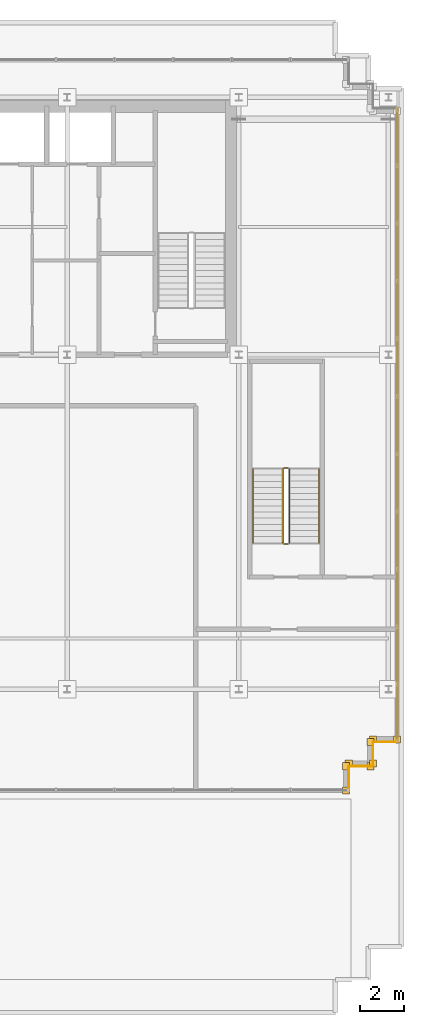
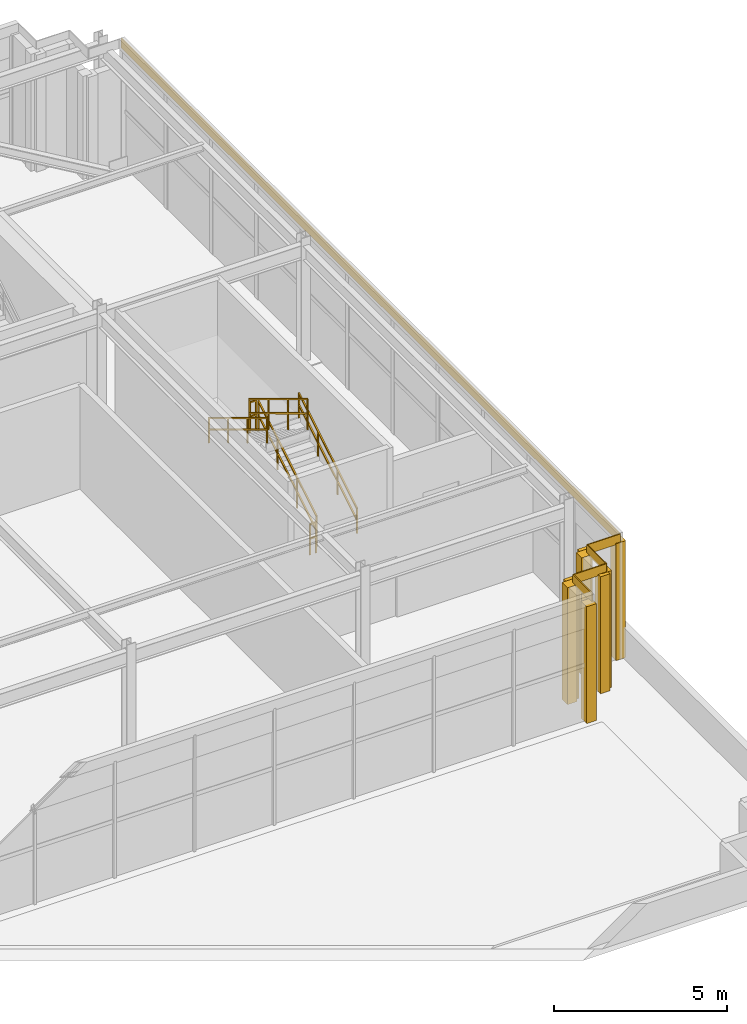
# One storey, part 35 of 38: 13 coverings, 6 railings.
"""IFC4 building model written with IfcOpenShell, lengths in metres."""

from ifc_helpers import new_model, si_unit, direction, frame, origin, origin_2d, place, context, subcontext, project, spatial, rectangle, extrude, source, transform, mapped, material, layer, layer_set, type_object, element, save


model = new_model("IFC4")

# Units and contexts
model_context = context("Model", 3, precision=1e-05, world=origin(), true_north=direction((0.0, 1.0)))
body_context = subcontext(model_context, "Body", "Model", "MODEL_VIEW")
ifc_project = project(units=[si_unit("LENGTHUNIT", "METRE"), si_unit("AREAUNIT", "SQUARE_METRE"), si_unit("VOLUMEUNIT", "CUBIC_METRE"), si_unit("PLANEANGLEUNIT", "RADIAN"), si_unit("MASSUNIT", "GRAM", prefix="KILO")], contexts=[model_context])

# Site, building, storey
site_placement = place(None, origin())
site = spatial("IfcSite", under=ifc_project, at=site_placement, CompositionType="ELEMENT")
building_placement = place(site_placement, origin())
building = spatial("IfcBuilding", under=site, at=building_placement, Name="Trelvane Seafront Commons", CompositionType="ELEMENT")
storey_placement = place(building_placement, frame((0.0, 0.0, 299.10009765625)))
storey = spatial("IfcBuildingStorey", under=building, at=storey_placement, Name="L78", CompositionType="ELEMENT", Elevation=299.10009765625)

# Railings
ifc_material_1 = material(Name="Stainless steel balustrade", Category="steel")
railing_type_1 = type_object("IfcRailingType", Name="ARCH-SRL-GUARD", PredefinedType="GUARDRAIL", material=ifc_material_1)
railing_1_placement = place(storey_placement, frame((61.10009765625, 24.85009765625, 0.169189453125)))
element("IfcRailing", 1, at=railing_1_placement, inside=storey, type_object=railing_type_1, Name="L78 ST-6 stair guard 1", PredefinedType="GUARDRAIL", context=body_context, shape_type="SweptSolid", body=[
    extrude(rectangle(XDim=0.048095703125, YDim=0.048095703125, at=origin_2d()), frame((0.0, 0.0, 1.076171875), z_axis=(0.0, 0.855820338506, 0.51727318527), x_axis=(-1.0, 0.0, 0.0)), (0.0, 0.0, 1.0), 3.92578125),
    extrude(rectangle(XDim=0.048095703125, YDim=0.048095703125, at=origin_2d()), frame((0.0, 0.0, 0.572021484375), z_axis=(0.0, 0.855820338506, 0.51727318527), x_axis=(-1.0, 0.0, 0.0)), (0.0, 0.0, 1.0), 3.92578125),
    extrude(rectangle(XDim=0.0419921875, YDim=0.0419921875, at=origin_2d()), origin(), (0.0, 0.0, 1.0), 1.076171875),
    extrude(rectangle(XDim=0.0419921875, YDim=0.0419921875, at=origin_2d()), frame((0.0, 1.119873046875, 0.677001953125)), (0.0, 0.0, 1.0), 1.076171875),
    extrude(rectangle(XDim=0.0419921875, YDim=0.0419921875, at=origin_2d()), frame((0.0, 2.239990234375, 1.353759765625)), (0.0, 0.0, 1.0), 1.076171875),
    extrude(rectangle(XDim=0.0419921875, YDim=0.0419921875, at=origin_2d()), frame((0.0, 3.35986328125, 2.03076171875)), (0.0, 0.0, 1.0), 1.076171875),
])
railing_2_placement = place(storey_placement, frame((61.050048828125, 28.260009765625, 2.199951171875)))
element("IfcRailing", 2, at=railing_2_placement, inside=storey, type_object=railing_type_1, Name="L78 ST-6 stair guard 2", PredefinedType="GUARDRAIL", context=body_context, shape_type="SweptSolid", body=[
    extrude(rectangle(XDim=0.048095703125, YDim=0.048095703125, at=origin_2d()), frame((0.0, 0.0, 1.076171875), z_axis=(-1.0, 0.0, 0.0), x_axis=(0.0, -1.0, 0.0)), (0.0, 0.0, 1.0), 0.199951171875),
    extrude(rectangle(XDim=0.048095703125, YDim=0.048095703125, at=origin_2d()), frame((0.0, 0.0, 0.572021484375), z_axis=(-1.0, 0.0, 0.0), x_axis=(0.0, -1.0, 0.0)), (0.0, 0.0, 1.0), 0.199951171875),
    extrude(rectangle(XDim=0.0419921875, YDim=0.0419921875, at=origin_2d()), origin(), (0.0, 0.0, 1.0), 1.076171875),
    extrude(rectangle(XDim=0.0419921875, YDim=0.0419921875, at=origin_2d()), frame((-0.199951171875, 0.0, 0.0)), (0.0, 0.0, 1.0), 1.076171875),
])
railing_3_placement = place(storey_placement, frame((60.800048828125, 28.2099609375, 2.369140625)))
element("IfcRailing", 3, at=railing_3_placement, inside=storey, type_object=railing_type_1, Name="L78 ST-6 stair guard 3", PredefinedType="GUARDRAIL", context=body_context, shape_type="SweptSolid", body=[
    extrude(rectangle(XDim=0.048095703125, YDim=0.048095703125, at=origin_2d()), frame((0.0, 0.0, 1.076171875), z_axis=(0.0, -0.855820338506, 0.51727318527), x_axis=(1.0, 0.0, 0.0)), (0.0, 0.0, 1.0), 3.92578125),
    extrude(rectangle(XDim=0.048095703125, YDim=0.048095703125, at=origin_2d()), frame((0.0, 0.0, 0.572021484375), z_axis=(0.0, -0.855820338506, 0.51727318527), x_axis=(1.0, 0.0, 0.0)), (0.0, 0.0, 1.0), 3.92578125),
    extrude(rectangle(XDim=0.0419921875, YDim=0.0419921875, at=origin_2d()), origin(), (0.0, 0.0, 1.0), 1.076171875),
    extrude(rectangle(XDim=0.0419921875, YDim=0.0419921875, at=origin_2d()), frame((0.0, -1.119873046875, 0.677001953125)), (0.0, 0.0, 1.0), 1.076171875),
    extrude(rectangle(XDim=0.0419921875, YDim=0.0419921875, at=origin_2d()), frame((0.0, -2.239990234375, 1.353759765625)), (0.0, 0.0, 1.0), 1.076171875),
    extrude(rectangle(XDim=0.0419921875, YDim=0.0419921875, at=origin_2d()), frame((0.0, -3.35986328125, 2.03076171875)), (0.0, 0.0, 1.0), 1.076171875),
])
railing_4_placement = place(storey_placement, frame((61.050048828125, 24.800048828125, 0.0)))
element("IfcRailing", 4, at=railing_4_placement, inside=storey, type_object=railing_type_1, Name="L78 ST-6 stair guard 4", PredefinedType="GUARDRAIL", context=body_context, shape_type="SweptSolid", body=[
    extrude(rectangle(XDim=0.048095703125, YDim=0.048095703125, at=origin_2d()), frame((0.0, 0.0, 1.076171875), z_axis=(-1.0, 0.0, 0.0), x_axis=(0.0, -1.0, 0.0)), (0.0, 0.0, 1.0), 0.199951171875),
    extrude(rectangle(XDim=0.048095703125, YDim=0.048095703125, at=origin_2d()), frame((0.0, 0.0, 0.572021484375), z_axis=(-1.0, 0.0, 0.0), x_axis=(0.0, -1.0, 0.0)), (0.0, 0.0, 1.0), 0.199951171875),
    extrude(rectangle(XDim=0.0419921875, YDim=0.0419921875, at=origin_2d()), origin(), (0.0, 0.0, 1.0), 1.076171875),
    extrude(rectangle(XDim=0.0419921875, YDim=0.0419921875, at=origin_2d()), frame((-0.199951171875, 0.0, 0.0)), (0.0, 0.0, 1.0), 1.076171875),
])
railing_type_2 = type_object("IfcRailingType", Name="ARCH-SRL-HAND", PredefinedType="HANDRAIL", material=ifc_material_1)
railing_5_placement = place(storey_placement, frame((62.449951171875, 24.85009765625, 0.169189453125)))
element("IfcRailing", 5, at=railing_5_placement, inside=storey, type_object=railing_type_2, Name="L78 ST-6 stair handrail 1", PredefinedType="HANDRAIL", context=body_context, shape_type="SweptSolid", body=[
    extrude(rectangle(XDim=0.048095703125, YDim=0.048095703125, at=origin_2d()), frame((0.0, 0.0, 0.8759765625), z_axis=(0.0, 0.855820338506, 0.51727318527), x_axis=(-1.0, 0.0, 0.0)), (0.0, 0.0, 1.0), 3.92578125),
    extrude(rectangle(XDim=0.048095703125, YDim=0.048095703125, at=origin_2d()), frame((0.0, 0.0, 0.468017578125), z_axis=(0.0, 0.855820338506, 0.51727318527), x_axis=(-1.0, 0.0, 0.0)), (0.0, 0.0, 1.0), 3.92578125),
    extrude(rectangle(XDim=0.0419921875, YDim=0.0419921875, at=origin_2d()), origin(), (0.0, 0.0, 1.0), 0.8759765625),
    extrude(rectangle(XDim=0.0419921875, YDim=0.0419921875, at=origin_2d()), frame((0.0, 1.119873046875, 0.677001953125)), (0.0, 0.0, 1.0), 0.8759765625),
    extrude(rectangle(XDim=0.0419921875, YDim=0.0419921875, at=origin_2d()), frame((0.0, 2.239990234375, 1.353759765625)), (0.0, 0.0, 1.0), 0.8759765625),
    extrude(rectangle(XDim=0.0419921875, YDim=0.0419921875, at=origin_2d()), frame((0.0, 3.35986328125, 2.03076171875)), (0.0, 0.0, 1.0), 0.8759765625),
])
railing_6_placement = place(storey_placement, frame((59.449951171875, 28.2099609375, 2.369140625)))
element("IfcRailing", 6, at=railing_6_placement, inside=storey, type_object=railing_type_2, Name="L78 ST-6 stair handrail 2", PredefinedType="HANDRAIL", context=body_context, shape_type="SweptSolid", body=[
    extrude(rectangle(XDim=0.048095703125, YDim=0.048095703125, at=origin_2d()), frame((0.0, 0.0, 0.8759765625), z_axis=(0.0, -0.855820338506, 0.51727318527), x_axis=(1.0, 0.0, 0.0)), (0.0, 0.0, 1.0), 3.92578125),
    extrude(rectangle(XDim=0.048095703125, YDim=0.048095703125, at=origin_2d()), frame((0.0, 0.0, 0.468017578125), z_axis=(0.0, -0.855820338506, 0.51727318527), x_axis=(1.0, 0.0, 0.0)), (0.0, 0.0, 1.0), 3.92578125),
    extrude(rectangle(XDim=0.0419921875, YDim=0.0419921875, at=origin_2d()), origin(), (0.0, 0.0, 1.0), 0.8759765625),
    extrude(rectangle(XDim=0.0419921875, YDim=0.0419921875, at=origin_2d()), frame((0.0, -1.119873046875, 0.677001953125)), (0.0, 0.0, 1.0), 0.8759765625),
    extrude(rectangle(XDim=0.0419921875, YDim=0.0419921875, at=origin_2d()), frame((0.0, -2.239990234375, 1.353759765625)), (0.0, 0.0, 1.0), 0.8759765625),
    extrude(rectangle(XDim=0.0419921875, YDim=0.0419921875, at=origin_2d()), frame((0.0, -3.35986328125, 2.03076171875)), (0.0, 0.0, 1.0), 0.8759765625),
])

# Coverings
ifc_material_2 = material(Name="Anodised pale-silver aluminium", Category="aluminium")
ifc_layer = layer(ifc_material_2, 0.034912109375, Name="ARCH-COV-CLAD35")
ifc_layer_set = layer_set([ifc_layer], Name="Anodised pale-silver aluminium")
covering_type = type_object("IfcCoveringType", Name="ARCH-COV-CLAD35", PredefinedType="CLADDING", material=ifc_layer_set)
shared_shape_1 = source(origin(), body_context, "Body", "SweptSolid", [
    extrude(rectangle(XDim=0.320068359375, YDim=0.320068359375, at=origin_2d()), origin(), (0.0, 0.0, 1.0), 4.1201171875),
])
for number, where, z_axis, x_axis, name in (
    (7, (66.0, 15.919921875, -0.000244140625), (0.0, 0.0, 1.0), (1.0, 0.0, 0.0), "CLD-CP-L78-00351"),
    (8, (64.89990234375, 15.919921875, -0.000244140625), (0.0, 0.0, 1.0), (1.0, 0.0, 0.0), "CLD-CP-L78-00352"),
    (9, (64.780029296875, 15.800048828125, -0.000244140625), (0.0, 0.0, 1.0), (1.0, 0.0, 0.0), "CLD-CP-L78-00354"),
    (10, (64.780029296875, 14.699951171875, -0.000244140625), (0.0, 0.0, 1.0), (1.0, 0.0, 0.0), "CLD-CP-L78-00355"),
    (11, (64.89990234375, 14.820068359375, -0.000244140625), (0.0, 0.0, 1.0), (1.0, 0.0, 0.0), "CLD-CP-L78-00357"),
    (12, (63.800048828125, 14.820068359375, -0.000244140625), (0.0, 0.0, 1.0), (1.0, 0.0, 0.0), "CLD-CP-L78-00358"),
    (13, (63.679931640625, 14.699951171875, -0.000244140625), (0.0, 0.0, 1.0), (1.0, 0.0, 0.0), "CLD-CP-L78-00360"),
    (14, (63.679931640625, 13.60009765625, -0.000244140625), (0.0, 0.0, 1.0), (1.0, 0.0, 0.0), "CLD-CP-L78-00361"),
):
    element("IfcCovering", number, at=place(storey_placement, frame(where, z_axis=z_axis, x_axis=x_axis)), inside=storey, type_object=covering_type, Name=name, PredefinedType="CLADDING", context=body_context, shape_type="MappedRepresentation", body=[
        mapped(shared_shape_1, transform((0.0, 0.0, 0.0), x_axis=(1.0, 0.0, 0.0), y_axis=(0.0, 1.0, 0.0), z_axis=(0.0, 0.0, 1.0), scale=1.0)),
    ])
shared_shape_2 = source(origin(), body_context, "Body", "SweptSolid", [
    extrude(rectangle(XDim=1.10009765625, YDim=0.034912109375, at=origin_2d()), origin(), (0.0, 0.0, 1.0), 0.330078125),
])
for number, where, z_axis, x_axis, name in (
    (15, (65.449951171875, 15.800048828125, 4.06982421875), (0.0, 0.0, 1.0), (-1.0, 0.0, 0.0), "CLD-L78-0353"),
    (16, (64.89990234375, 15.25, 4.06982421875), (0.0, 0.0, 1.0), (0.0, -1.0, 0.0), "CLD-L78-0356"),
    (17, (64.35009765625, 14.699951171875, 4.06982421875), (0.0, 0.0, 1.0), (-1.0, 0.0, 0.0), "CLD-L78-0359"),
    (18, (63.800048828125, 14.14990234375, 4.06982421875), (0.0, 0.0, 1.0), (0.0, -1.0, 0.0), "CLD-L78-0362"),
):
    element("IfcCovering", number, at=place(storey_placement, frame(where, z_axis=z_axis, x_axis=x_axis)), inside=storey, type_object=covering_type, Name=name, PredefinedType="CLADDING", context=body_context, shape_type="MappedRepresentation", body=[
        mapped(shared_shape_2, transform((0.0, 0.0, 0.0), x_axis=(1.0, 0.0, 0.0), y_axis=(0.0, 1.0, 0.0), z_axis=(0.0, 0.0, 1.0), scale=1.0)),
    ])
shared_shape_3 = source(origin(), body_context, "Body", "SweptSolid", [
    extrude(rectangle(XDim=28.800048828125, YDim=0.034912109375, at=origin_2d()), origin(), (0.0, 0.0, 1.0), 0.330078125),
])
covering_placement = place(storey_placement, frame((66.0, 30.199951171875, 4.06982421875), z_axis=(0.0, 0.0, 1.0), x_axis=(0.0, -1.0, 0.0)))
element("IfcCovering", 19, at=covering_placement, inside=storey, type_object=covering_type, Name="CLD-L78-0350", PredefinedType="CLADDING", context=body_context, shape_type="MappedRepresentation", body=[
    mapped(shared_shape_3, transform((0.0, 0.0, 0.0), x_axis=(1.0, 0.0, 0.0), y_axis=(0.0, 1.0, 0.0), z_axis=(0.0, 0.0, 1.0), scale=1.0)),
])

save(model, "model.ifc")
